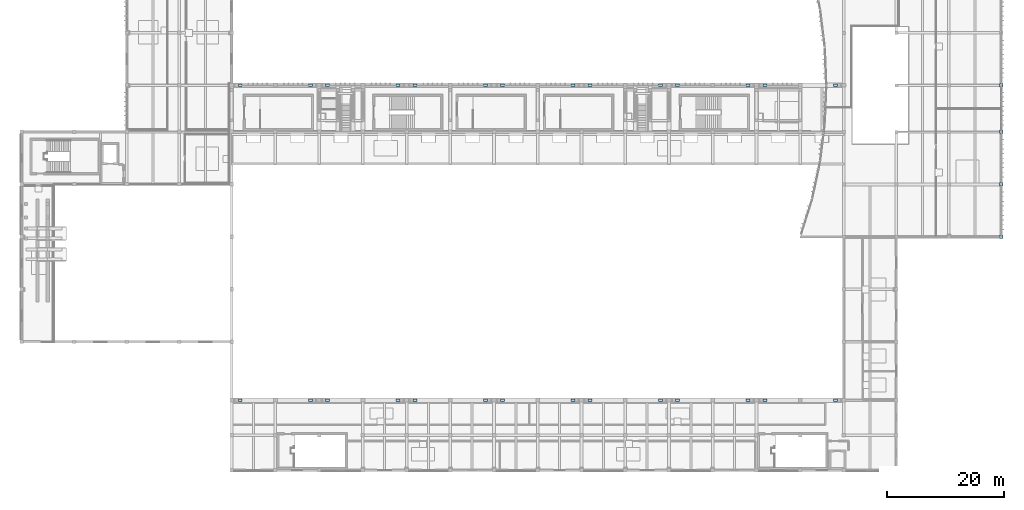
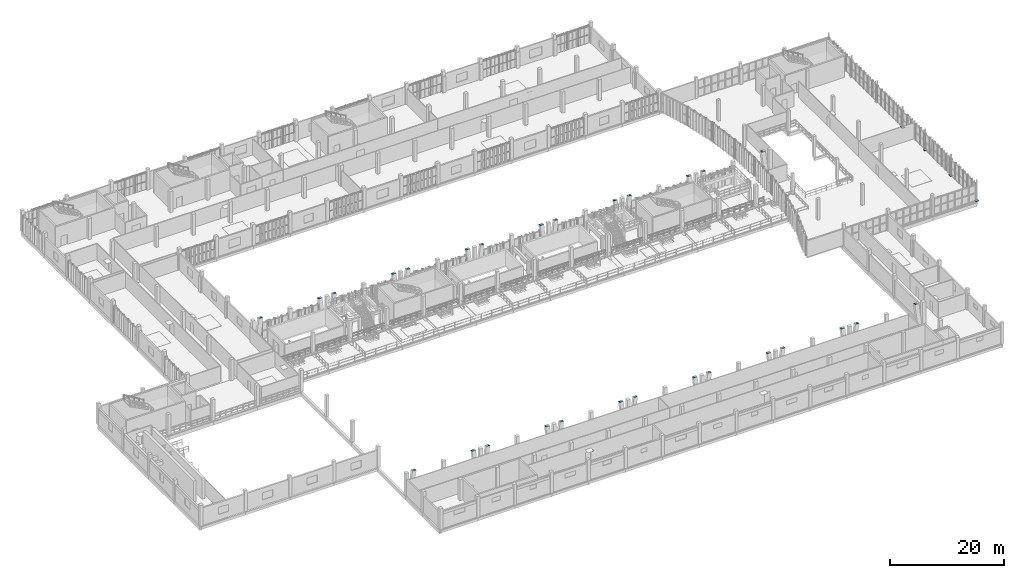
# One storey, part 49 of 81: 32 plates.
"""IFC4 building model written with IfcOpenShell, lengths in metres."""

from ifc_helpers import new_model, si_unit, direction, frame, origin, origin_2d, place, context, subcontext, project, spatial, rectangle, extrude, material, layer, layer_set, type_object, element, save


model = new_model("IFC4")

# Units and contexts
model_context = context("Model", 3, precision=1e-05, world=origin(), true_north=direction((0.0, 1.0)))
body_context = subcontext(model_context, "Body", "Model", "MODEL_VIEW")
ifc_project = project(units=[si_unit("LENGTHUNIT", "METRE"), si_unit("AREAUNIT", "SQUARE_METRE"), si_unit("VOLUMEUNIT", "CUBIC_METRE"), si_unit("PLANEANGLEUNIT", "RADIAN"), si_unit("MASSUNIT", "GRAM", prefix="KILO")], contexts=[model_context])

# Site, building, storey
site_placement = place(None, origin())
site = spatial("IfcSite", under=ifc_project, at=site_placement, CompositionType="ELEMENT")
building_placement = place(site_placement, origin())
building = spatial("IfcBuilding", under=site, at=building_placement, Name="Vourika Railside Aquatics Centre", CompositionType="ELEMENT")
storey_placement = place(building_placement, frame((0.0, 0.0, 4.800048828125)))
storey = spatial("IfcBuildingStorey", under=building, at=storey_placement, Name="L01", CompositionType="ELEMENT", Elevation=4.800048828125)

# Plates
ifc_material_1 = material(Name="Steel S355J2", Category="steel")
ifc_layer_1 = layer(ifc_material_1, 0.030029296875, Name="PLT-BASE-600x600x30")
ifc_layer_set_1 = layer_set([ifc_layer_1], Name="Steel S355J2")
plate_type_1 = type_object("IfcPlateType", Name="PLT-BASE-600x600x30", PredefinedType="USERDEFINED", material=ifc_layer_set_1)
for number, where, z_axis, x_axis, name in (
    (1, (168.0, 40.0, 0.0), (0.0, 0.0, 1.0), (1.0, 0.0, 0.0), "Steel Column Base Plate BP-036"),
    (2, (168.0, 49.0, 0.0), (0.0, 0.0, 1.0), (1.0, 0.0, 0.0), "Steel Column Base Plate BP-037"),
    (3, (168.0, 58.0, 0.0), (0.0, 0.0, 1.0), (1.0, 0.0, 0.0), "Steel Column Base Plate BP-038"),
    (4, (168.0, 66.0, 0.0), (0.0, 0.0, 1.0), (1.0, 0.0, 0.0), "Steel Column Base Plate BP-039"),
):
    element("IfcPlate", number, at=place(storey_placement, frame(where, z_axis=z_axis, x_axis=x_axis)), inside=storey, type_object=plate_type_1, Name=name, ObjectType="BASE PLATE", PredefinedType="USERDEFINED", context=body_context, shape_type="SweptSolid", body=[
        extrude(rectangle(XDim=0.60009765625, YDim=0.60009765625, at=origin_2d()), origin(), (0.0, 0.0, 1.0), 0.030029296875),
    ])
ifc_material_2 = material(Name="Duplex stainless steel EN 1.4462", Category="steel")
ifc_layer_2 = layer(ifc_material_2, 0.02490234375, Name="PLT-SHOE-640x420x25")
ifc_layer_set_2 = layer_set([ifc_layer_2], Name="Duplex stainless steel EN 1.4462")
plate_type_2 = type_object("IfcPlateType", Name="PLT-SHOE-640x420x25", PredefinedType="USERDEFINED", material=ifc_layer_set_2)
for number, where, z_axis, x_axis, name in (
    (5, (37.449951171875, 12.0, 4.824951171875), (0.0, 0.0, 1.0), (1.0, 0.0, 0.0), "Stainless Vault Springing Shoe SN-008"),
    (6, (37.449951171875, 66.0, 4.824951171875), (0.0, 0.0, 1.0), (1.0, 0.0, 0.0), "Stainless Vault Springing Shoe SN-009"),
    (7, (52.449951171875, 12.0, 4.824951171875), (0.0, 0.0, 1.0), (1.0, 0.0, 0.0), "Stainless Vault Springing Shoe SN-011"),
    (8, (52.449951171875, 66.0, 4.824951171875), (0.0, 0.0, 1.0), (1.0, 0.0, 0.0), "Stainless Vault Springing Shoe SN-013"),
    (9, (67.449951171875, 12.0, 4.824951171875), (0.0, 0.0, 1.0), (1.0, 0.0, 0.0), "Stainless Vault Springing Shoe SN-015"),
    (10, (67.449951171875, 66.0, 4.824951171875), (0.0, 0.0, 1.0), (1.0, 0.0, 0.0), "Stainless Vault Springing Shoe SN-017"),
    (11, (82.449951171875, 12.0, 4.824951171875), (0.0, 0.0, 1.0), (1.0, 0.0, 0.0), "Stainless Vault Springing Shoe SN-019"),
    (12, (82.449951171875, 66.0, 4.824951171875), (0.0, 0.0, 1.0), (1.0, 0.0, 0.0), "Stainless Vault Springing Shoe SN-021"),
    (13, (97.449951171875, 12.0, 4.824951171875), (0.0, 0.0, 1.0), (1.0, 0.0, 0.0), "Stainless Vault Springing Shoe SN-023"),
    (14, (97.449951171875, 66.0, 4.824951171875), (0.0, 0.0, 1.0), (1.0, 0.0, 0.0), "Stainless Vault Springing Shoe SN-025"),
    (15, (112.449951171875, 12.0, 4.824951171875), (0.0, 0.0, 1.0), (1.0, 0.0, 0.0), "Stainless Vault Springing Shoe SN-027"),
    (16, (112.449951171875, 66.0, 4.824951171875), (0.0, 0.0, 1.0), (1.0, 0.0, 0.0), "Stainless Vault Springing Shoe SN-029"),
    (17, (127.449951171875, 12.0, 4.824951171875), (0.0, 0.0, 1.0), (1.0, 0.0, 0.0), "Stainless Vault Springing Shoe SN-031"),
    (18, (127.449951171875, 66.0, 4.824951171875), (0.0, 0.0, 1.0), (1.0, 0.0, 0.0), "Stainless Vault Springing Shoe SN-033"),
):
    element("IfcPlate", number, at=place(storey_placement, frame(where, z_axis=z_axis, x_axis=x_axis)), inside=storey, type_object=plate_type_2, Name=name, ObjectType="GUSSET PLATE", PredefinedType="USERDEFINED", context=body_context, shape_type="SweptSolid", body=[
        extrude(rectangle(XDim=0.639892578125, YDim=0.419921875, at=origin_2d()), origin(), (0.0, 0.0, 1.0), 0.02490234375),
    ])
ifc_layer_3 = layer(ifc_material_2, 0.02490234375, Name="PLT-SHOE-700x450x25")
ifc_layer_set_3 = layer_set([ifc_layer_3], Name="Duplex stainless steel EN 1.4462")
plate_type_3 = type_object("IfcPlateType", Name="PLT-SHOE-700x450x25", PredefinedType="USERDEFINED", material=ifc_layer_set_3)
for number, where, z_axis, x_axis, name in (
    (19, (49.550048828125, 12.0, 4.824951171875), (0.0, 0.0, 1.0), (1.0, 0.0, 0.0), "Stainless Vault Springing Shoe SN-010"),
    (20, (49.550048828125, 66.0, 4.824951171875), (0.0, 0.0, 1.0), (1.0, 0.0, 0.0), "Stainless Vault Springing Shoe SN-012"),
    (21, (64.550048828125, 12.0, 4.824951171875), (0.0, 0.0, 1.0), (1.0, 0.0, 0.0), "Stainless Vault Springing Shoe SN-014"),
    (22, (64.550048828125, 66.0, 4.824951171875), (0.0, 0.0, 1.0), (1.0, 0.0, 0.0), "Stainless Vault Springing Shoe SN-016"),
    (23, (79.550048828125, 12.0, 4.824951171875), (0.0, 0.0, 1.0), (1.0, 0.0, 0.0), "Stainless Vault Springing Shoe SN-018"),
    (24, (79.550048828125, 66.0, 4.824951171875), (0.0, 0.0, 1.0), (1.0, 0.0, 0.0), "Stainless Vault Springing Shoe SN-020"),
    (25, (94.550048828125, 12.0, 4.824951171875), (0.0, 0.0, 1.0), (1.0, 0.0, 0.0), "Stainless Vault Springing Shoe SN-022"),
    (26, (94.550048828125, 66.0, 4.824951171875), (0.0, 0.0, 1.0), (1.0, 0.0, 0.0), "Stainless Vault Springing Shoe SN-024"),
    (27, (109.550048828125, 12.0, 4.824951171875), (0.0, 0.0, 1.0), (1.0, 0.0, 0.0), "Stainless Vault Springing Shoe SN-026"),
    (28, (109.550048828125, 66.0, 4.824951171875), (0.0, 0.0, 1.0), (1.0, 0.0, 0.0), "Stainless Vault Springing Shoe SN-028"),
    (29, (124.550048828125, 12.0, 4.824951171875), (0.0, 0.0, 1.0), (1.0, 0.0, 0.0), "Stainless Vault Springing Shoe SN-030"),
    (30, (124.550048828125, 66.0, 4.824951171875), (0.0, 0.0, 1.0), (1.0, 0.0, 0.0), "Stainless Vault Springing Shoe SN-032"),
    (31, (139.550048828125, 12.0, 4.824951171875), (0.0, 0.0, 1.0), (1.0, 0.0, 0.0), "Stainless Vault Springing Shoe SN-034"),
    (32, (139.550048828125, 66.0, 4.824951171875), (0.0, 0.0, 1.0), (1.0, 0.0, 0.0), "Stainless Vault Springing Shoe SN-035"),
):
    element("IfcPlate", number, at=place(storey_placement, frame(where, z_axis=z_axis, x_axis=x_axis)), inside=storey, type_object=plate_type_3, Name=name, ObjectType="GUSSET PLATE", PredefinedType="USERDEFINED", context=body_context, shape_type="SweptSolid", body=[
        extrude(rectangle(XDim=0.699951171875, YDim=0.449951171875, at=origin_2d()), origin(), (0.0, 0.0, 1.0), 0.02490234375),
    ])

save(model, "model.ifc")
